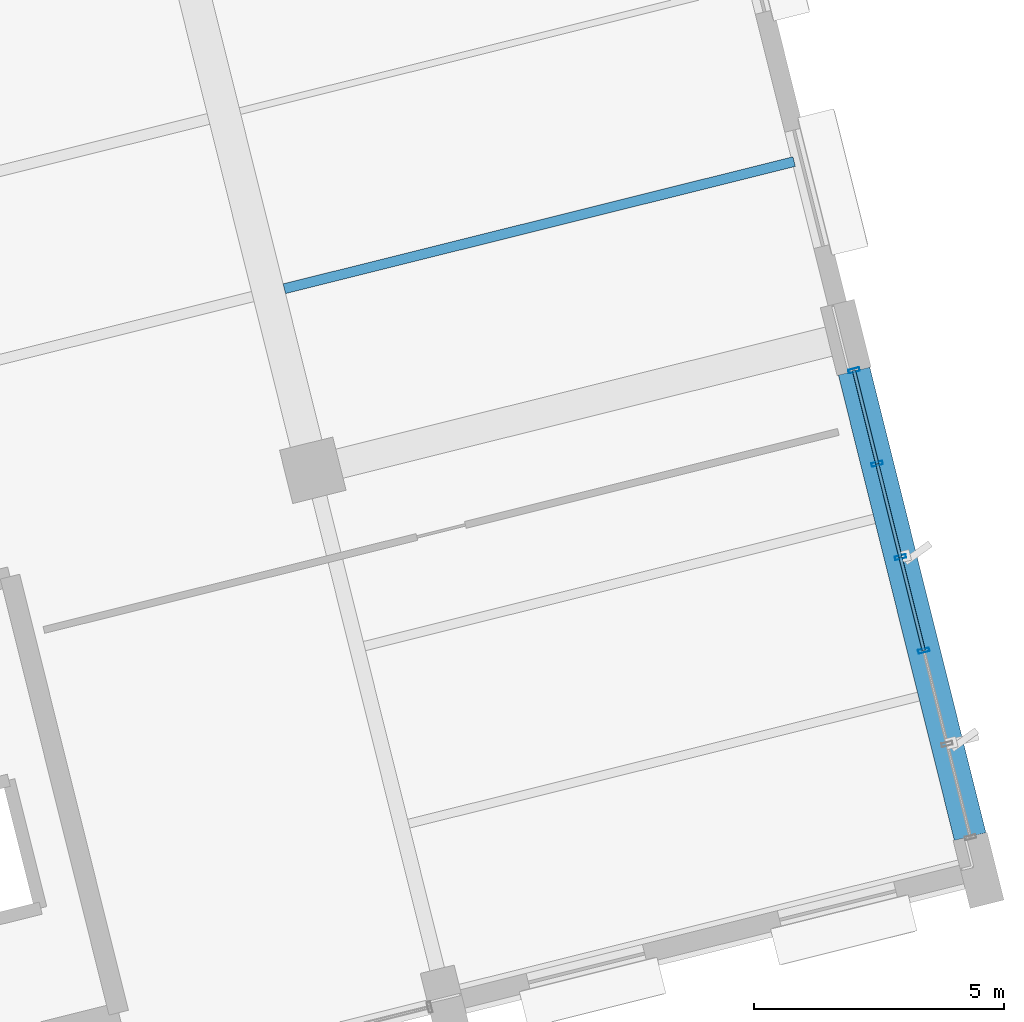
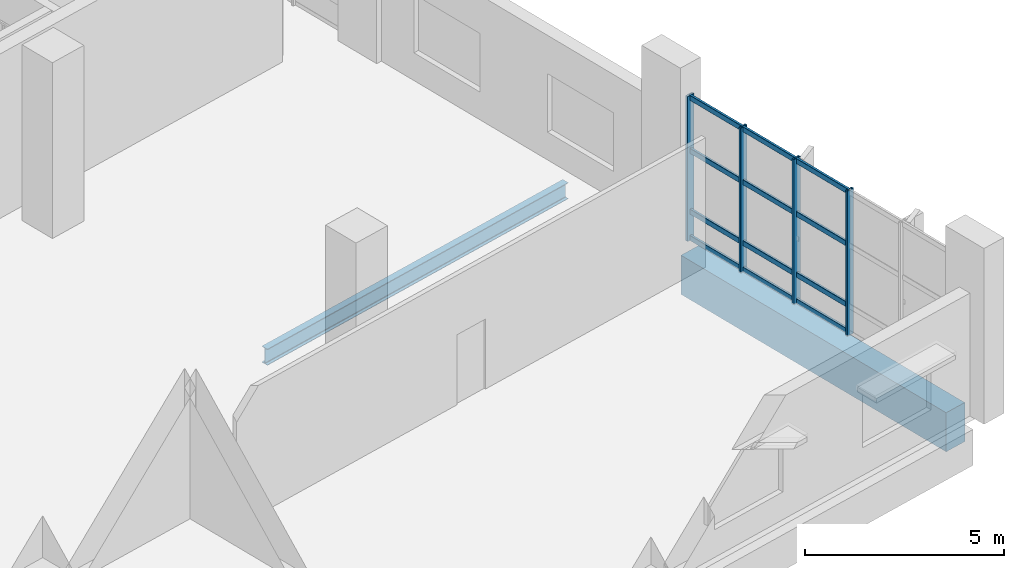
# One storey, part 79 of 176: 16 members, 2 beams, 1 element without a shape of its own.
"""IFC4 building model written with IfcOpenShell, lengths in metres."""

from ifc_helpers import new_model, si_unit, direction, frame, origin, origin_2d, place, context, subcontext, project, spatial, rectangle, hollow_rectangle, i_section, extrude, material, layer, layer_set, material_profile, profile_set, type_object, element, aggregate, save


model = new_model("IFC4")

# Units and contexts
model_context = context("Model", 3, precision=1e-05, world=origin(), true_north=direction((0.0, 1.0)))
body_context = subcontext(model_context, "Body", "Model", "MODEL_VIEW")
ifc_project = project(units=[si_unit("LENGTHUNIT", "METRE"), si_unit("AREAUNIT", "SQUARE_METRE"), si_unit("VOLUMEUNIT", "CUBIC_METRE"), si_unit("PLANEANGLEUNIT", "RADIAN"), si_unit("MASSUNIT", "GRAM", prefix="KILO")], contexts=[model_context])

# Site, building, storey
site_placement = place(None, origin())
site = spatial("IfcSite", under=ifc_project, at=site_placement, CompositionType="ELEMENT")
building_placement = place(site_placement, origin())
building = spatial("IfcBuilding", under=site, at=building_placement, Name="Khorjan Park Terminus", CompositionType="ELEMENT")
storey_placement = place(building_placement, frame((0.0, 0.0, 6.0)))
storey = spatial("IfcBuildingStorey", under=building, at=storey_placement, Name="L01", CompositionType="ELEMENT", Elevation=6.0)

# Beams
ifc_material_1 = material(Name="Concrete C40/50", Category="concrete")
ifc_material_profile_1 = material_profile(ifc_material_1, rectangle(XDim=0.65, YDim=1.2, at=origin_2d()), Name="RC 650x1200")
ifc_profile_set_1 = profile_set([ifc_material_profile_1], Name="Concrete C40/50")
beam_type_1 = type_object("IfcBeamType", Name="BM-RC650x1200", PredefinedType="BEAM", material=ifc_profile_set_1)
beam_1_placement = place(storey_placement, frame((229.8714, 18.6412, -0.96), z_axis=(-0.241925915978, 0.970294723874, 0.0), x_axis=(-0.970294723874, -0.241925915978, 0.0)))
element("IfcBeam", 1, at=beam_1_placement, inside=storey, type_object=beam_type_1, Name="Primary skew-grid floor girder GB-12 (L01)", PredefinedType="BEAM", context=body_context, shape_type="SweptSolid", body=[
    extrude(rectangle(XDim=0.65, YDim=1.2, at=origin_2d()), origin(), (0.0, 0.0, 1.0), 9.61),
])
ifc_material_2 = material(Name="Steel S355", Category="steel")
ifc_material_profile_2 = material_profile(ifc_material_2, i_section(OverallWidth=0.2, OverallDepth=0.5, WebThickness=0.0102, FlangeThickness=0.016, FilletRadius=0.021, at=origin_2d()), Name="IPE 500")
ifc_profile_set_2 = profile_set([ifc_material_profile_2], Name="Steel S355")
beam_type_2 = type_object("IfcBeamType", Name="JS-IPE500", PredefinedType="JOIST", material=ifc_profile_set_2)
beam_2_placement = place(storey_placement, frame((216.1334, 29.6154, -0.61), z_axis=(0.970296558074, 0.241918559415, 0.0), x_axis=(-0.241918559415, 0.970296558074, 0.0)))
element("IfcBeam", 2, at=beam_2_placement, inside=storey, type_object=beam_type_2, Name="Secondary composite floor joist SJ-50 (L01)", PredefinedType="JOIST", context=body_context, shape_type="SweptSolid", body=[
    extrude(i_section(OverallWidth=0.2, OverallDepth=0.5, WebThickness=0.0102, FlangeThickness=0.016, FilletRadius=0.021, at=origin_2d()), origin(), (0.0, 0.0, 1.0), 10.525),
])

# Curtain wall, members
ifc_material_3 = material(Name="Anodized Bronze Aluminium", Category="aluminium")
ifc_layer = layer(ifc_material_3, 0.22)
ifc_layer_set = layer_set([ifc_layer], Name="Anodized Bronze Aluminium")
curtain_wall_type = type_object("IfcCurtainWallType", Name="CW-OPS-B", PredefinedType="NOTDEFINED", material=ifc_layer_set)
curtain_wall_placement = place(storey_placement, origin())
curtain_wall = element("IfcCurtainWall", 3, at=curtain_wall_placement, inside=storey, type_object=curtain_wall_type, Name="Unitized curtain wall CW-B (CW-V5-E-L01-B01)", PredefinedType="NOTDEFINED")
ifc_material_profile_3 = material_profile(ifc_material_3, hollow_rectangle(XDim=0.075, YDim=0.225, WallThickness=0.005, InnerFilletRadius=0.005, OuterFilletRadius=0.01, at=origin_2d()), Name="ALM 75x225x5")
ifc_profile_set_3 = profile_set([ifc_material_profile_3], Name="Anodized Bronze Aluminium")
member_type_1 = type_object("IfcMemberType", Name="ML-ALM-225", PredefinedType="MULLION", material=ifc_profile_set_3)
member_1_placement = place(storey_placement, frame((228.9422, 22.3681, -0.035), z_axis=(0.0, 0.0, 1.0), x_axis=(-0.241920488516, 0.9702960771, 0.0)))
member_1 = element("IfcMember", 4, at=member_1_placement, type_object=member_type_1, Name="Curtain-wall mullion ML-22 (CW-V5-E-L01-B01-2)", PredefinedType="MULLION", context=body_context, shape_type="SweptSolid", body=[
    extrude(hollow_rectangle(XDim=0.075, YDim=0.225, WallThickness=0.005, InnerFilletRadius=0.005, OuterFilletRadius=0.01, at=origin_2d()), origin(), (0.0, 0.0, 1.0), 4.455),
])
member_2_placement = place(storey_placement, frame((228.4757, 24.2389, -0.035), z_axis=(0.0, 0.0, 1.0), x_axis=(-0.241920488516, 0.9702960771, 0.0)))
member_2 = element("IfcMember", 5, at=member_2_placement, type_object=member_type_1, Name="Curtain-wall mullion ML-22 (CW-V5-E-L01-B01-3)", PredefinedType="MULLION", context=body_context, shape_type="SweptSolid", body=[
    extrude(hollow_rectangle(XDim=0.075, YDim=0.225, WallThickness=0.005, InnerFilletRadius=0.005, OuterFilletRadius=0.01, at=origin_2d()), origin(), (0.0, 0.0, 1.0), 4.455),
])
member_3_placement = place(storey_placement, frame((228.0093, 26.1096, -0.035), z_axis=(0.0, 0.0, 1.0), x_axis=(-0.241920488516, 0.9702960771, 0.0)))
member_3 = element("IfcMember", 6, at=member_3_placement, type_object=member_type_1, Name="Curtain-wall mullion ML-22 (CW-V5-E-L01-B01-4)", PredefinedType="MULLION", context=body_context, shape_type="SweptSolid", body=[
    extrude(hollow_rectangle(XDim=0.075, YDim=0.225, WallThickness=0.005, InnerFilletRadius=0.005, OuterFilletRadius=0.01, at=origin_2d()), origin(), (0.0, 0.0, 1.0), 4.455),
])
member_4_placement = place(storey_placement, frame((227.5429, 27.9803, -0.035), z_axis=(0.0, 0.0, 1.0), x_axis=(-0.241920488516, 0.9702960771, 0.0)))
member_4 = element("IfcMember", 7, at=member_4_placement, type_object=member_type_1, Name="Curtain-wall mullion ML-22 (CW-V5-E-L01-B01-5)", PredefinedType="MULLION", context=body_context, shape_type="SweptSolid", body=[
    extrude(hollow_rectangle(XDim=0.075, YDim=0.225, WallThickness=0.005, InnerFilletRadius=0.005, OuterFilletRadius=0.01, at=origin_2d()), origin(), (0.0, 0.0, 1.0), 4.455),
])
ifc_material_profile_4 = material_profile(ifc_material_3, hollow_rectangle(XDim=0.07, YDim=0.16, WallThickness=0.004, InnerFilletRadius=0.004, OuterFilletRadius=0.008, at=origin_2d()), Name="ALT 70x160x4")
ifc_profile_set_4 = profile_set([ifc_material_profile_4], Name="Anodized Bronze Aluminium")
member_type_2 = type_object("IfcMemberType", Name="TR-ALT-160", PredefinedType="USERDEFINED", material=ifc_profile_set_4)
member_5_placement = place(storey_placement, frame((228.9422, 22.3681, 0.04), z_axis=(-0.241949812413, 0.970288765406, 0.0), x_axis=(-0.970288765406, -0.241949812413, 0.0)))
member_5 = element("IfcMember", 8, at=member_5_placement, type_object=member_type_2, Name="Curtain-wall transom TR-16 (CW-V5-E-L01-B01-2-1)", ObjectType="TRANSOM", PredefinedType="USERDEFINED", context=body_context, shape_type="SweptSolid", body=[
    extrude(hollow_rectangle(XDim=0.07, YDim=0.16, WallThickness=0.004, InnerFilletRadius=0.004, OuterFilletRadius=0.008, at=origin_2d()), origin(), (0.0, 0.0, 1.0), 1.9281),
])
member_6_placement = place(storey_placement, frame((228.9422, 22.3681, 0.85), z_axis=(-0.241949812413, 0.970288765406, 0.0), x_axis=(-0.970288765406, -0.241949812413, 0.0)))
member_6 = element("IfcMember", 9, at=member_6_placement, type_object=member_type_2, Name="Curtain-wall transom TR-16 (CW-V5-E-L01-B01-2-2)", ObjectType="TRANSOM", PredefinedType="USERDEFINED", context=body_context, shape_type="SweptSolid", body=[
    extrude(hollow_rectangle(XDim=0.07, YDim=0.16, WallThickness=0.004, InnerFilletRadius=0.004, OuterFilletRadius=0.008, at=origin_2d()), origin(), (0.0, 0.0, 1.0), 1.9281),
])
member_7_placement = place(storey_placement, frame((228.9422, 22.3681, 2.7187), z_axis=(-0.241949812413, 0.970288765406, 0.0), x_axis=(-0.970288765406, -0.241949812413, 0.0)))
member_7 = element("IfcMember", 10, at=member_7_placement, type_object=member_type_2, Name="Curtain-wall transom TR-16 (CW-V5-E-L01-B01-2-3)", ObjectType="TRANSOM", PredefinedType="USERDEFINED", context=body_context, shape_type="SweptSolid", body=[
    extrude(hollow_rectangle(XDim=0.07, YDim=0.16, WallThickness=0.004, InnerFilletRadius=0.004, OuterFilletRadius=0.008, at=origin_2d()), origin(), (0.0, 0.0, 1.0), 1.9281),
])
member_8_placement = place(storey_placement, frame((228.9422, 22.3681, 4.345), z_axis=(-0.241949812413, 0.970288765406, 0.0), x_axis=(-0.970288765406, -0.241949812413, 0.0)))
member_8 = element("IfcMember", 11, at=member_8_placement, type_object=member_type_2, Name="Curtain-wall transom TR-16 (CW-V5-E-L01-B01-2-4)", ObjectType="TRANSOM", PredefinedType="USERDEFINED", context=body_context, shape_type="SweptSolid", body=[
    extrude(hollow_rectangle(XDim=0.07, YDim=0.16, WallThickness=0.004, InnerFilletRadius=0.004, OuterFilletRadius=0.008, at=origin_2d()), origin(), (0.0, 0.0, 1.0), 1.9281),
])
member_9_placement = place(storey_placement, frame((228.4757, 24.2389, 0.04), z_axis=(-0.241913157049, 0.970297905, 0.0), x_axis=(-0.970297905, -0.241913157049, 0.0)))
member_9 = element("IfcMember", 12, at=member_9_placement, type_object=member_type_2, Name="Curtain-wall transom TR-16 (CW-V5-E-L01-B01-3-1)", ObjectType="TRANSOM", PredefinedType="USERDEFINED", context=body_context, shape_type="SweptSolid", body=[
    extrude(hollow_rectangle(XDim=0.07, YDim=0.16, WallThickness=0.004, InnerFilletRadius=0.004, OuterFilletRadius=0.008, at=origin_2d()), origin(), (0.0, 0.0, 1.0), 1.928),
])
member_10_placement = place(storey_placement, frame((228.4757, 24.2389, 0.85), z_axis=(-0.241913157049, 0.970297905, 0.0), x_axis=(-0.970297905, -0.241913157049, 0.0)))
member_10 = element("IfcMember", 13, at=member_10_placement, type_object=member_type_2, Name="Curtain-wall transom TR-16 (CW-V5-E-L01-B01-3-2)", ObjectType="TRANSOM", PredefinedType="USERDEFINED", context=body_context, shape_type="SweptSolid", body=[
    extrude(hollow_rectangle(XDim=0.07, YDim=0.16, WallThickness=0.004, InnerFilletRadius=0.004, OuterFilletRadius=0.008, at=origin_2d()), origin(), (0.0, 0.0, 1.0), 1.928),
])
member_11_placement = place(storey_placement, frame((228.4757, 24.2389, 2.7187), z_axis=(-0.241913157049, 0.970297905, 0.0), x_axis=(-0.970297905, -0.241913157049, 0.0)))
member_11 = element("IfcMember", 14, at=member_11_placement, type_object=member_type_2, Name="Curtain-wall transom TR-16 (CW-V5-E-L01-B01-3-3)", ObjectType="TRANSOM", PredefinedType="USERDEFINED", context=body_context, shape_type="SweptSolid", body=[
    extrude(hollow_rectangle(XDim=0.07, YDim=0.16, WallThickness=0.004, InnerFilletRadius=0.004, OuterFilletRadius=0.008, at=origin_2d()), origin(), (0.0, 0.0, 1.0), 1.928),
])
member_12_placement = place(storey_placement, frame((228.4757, 24.2389, 4.345), z_axis=(-0.241913157049, 0.970297905, 0.0), x_axis=(-0.970297905, -0.241913157049, 0.0)))
member_12 = element("IfcMember", 15, at=member_12_placement, type_object=member_type_2, Name="Curtain-wall transom TR-16 (CW-V5-E-L01-B01-3-4)", ObjectType="TRANSOM", PredefinedType="USERDEFINED", context=body_context, shape_type="SweptSolid", body=[
    extrude(hollow_rectangle(XDim=0.07, YDim=0.16, WallThickness=0.004, InnerFilletRadius=0.004, OuterFilletRadius=0.008, at=origin_2d()), origin(), (0.0, 0.0, 1.0), 1.928),
])
member_13_placement = place(storey_placement, frame((228.0093, 26.1096, 0.04), z_axis=(-0.241913157049, 0.970297905, 0.0), x_axis=(-0.970297905, -0.241913157049, 0.0)))
member_13 = element("IfcMember", 16, at=member_13_placement, type_object=member_type_2, Name="Curtain-wall transom TR-16 (CW-V5-E-L01-B01-4-1)", ObjectType="TRANSOM", PredefinedType="USERDEFINED", context=body_context, shape_type="SweptSolid", body=[
    extrude(hollow_rectangle(XDim=0.07, YDim=0.16, WallThickness=0.004, InnerFilletRadius=0.004, OuterFilletRadius=0.008, at=origin_2d()), origin(), (0.0, 0.0, 1.0), 1.928),
])
member_14_placement = place(storey_placement, frame((228.0093, 26.1096, 0.85), z_axis=(-0.241913157049, 0.970297905, 0.0), x_axis=(-0.970297905, -0.241913157049, 0.0)))
member_14 = element("IfcMember", 17, at=member_14_placement, type_object=member_type_2, Name="Curtain-wall transom TR-16 (CW-V5-E-L01-B01-4-2)", ObjectType="TRANSOM", PredefinedType="USERDEFINED", context=body_context, shape_type="SweptSolid", body=[
    extrude(hollow_rectangle(XDim=0.07, YDim=0.16, WallThickness=0.004, InnerFilletRadius=0.004, OuterFilletRadius=0.008, at=origin_2d()), origin(), (0.0, 0.0, 1.0), 1.928),
])
member_15_placement = place(storey_placement, frame((228.0093, 26.1096, 2.7187), z_axis=(-0.241913157049, 0.970297905, 0.0), x_axis=(-0.970297905, -0.241913157049, 0.0)))
member_15 = element("IfcMember", 18, at=member_15_placement, type_object=member_type_2, Name="Curtain-wall transom TR-16 (CW-V5-E-L01-B01-4-3)", ObjectType="TRANSOM", PredefinedType="USERDEFINED", context=body_context, shape_type="SweptSolid", body=[
    extrude(hollow_rectangle(XDim=0.07, YDim=0.16, WallThickness=0.004, InnerFilletRadius=0.004, OuterFilletRadius=0.008, at=origin_2d()), origin(), (0.0, 0.0, 1.0), 1.928),
])
member_16_placement = place(storey_placement, frame((228.0093, 26.1096, 4.345), z_axis=(-0.241913157049, 0.970297905, 0.0), x_axis=(-0.970297905, -0.241913157049, 0.0)))
member_16 = element("IfcMember", 19, at=member_16_placement, type_object=member_type_2, Name="Curtain-wall transom TR-16 (CW-V5-E-L01-B01-4-4)", ObjectType="TRANSOM", PredefinedType="USERDEFINED", context=body_context, shape_type="SweptSolid", body=[
    extrude(hollow_rectangle(XDim=0.07, YDim=0.16, WallThickness=0.004, InnerFilletRadius=0.004, OuterFilletRadius=0.008, at=origin_2d()), origin(), (0.0, 0.0, 1.0), 1.928),
])
aggregate(curtain_wall, [member_1, member_2, member_3, member_4, member_5, member_6, member_7, member_8, member_9, member_10, member_11, member_12, member_13, member_14, member_15, member_16])

save(model, "model.ifc")
